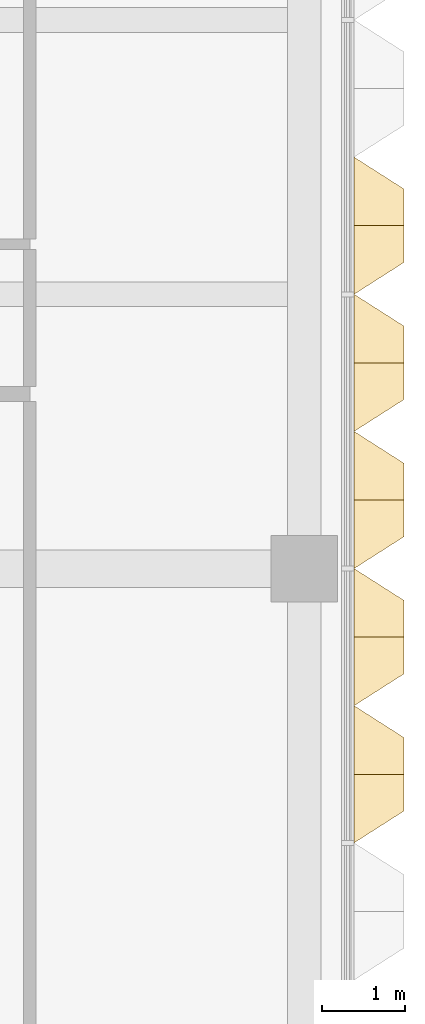
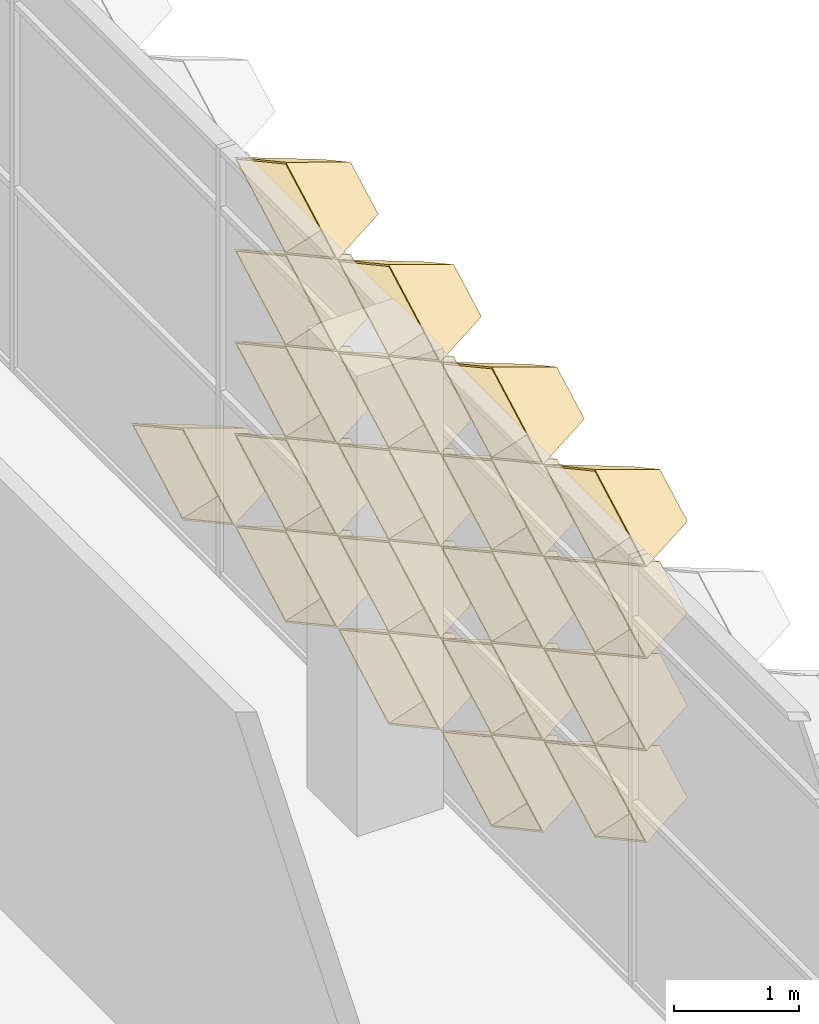
# One storey, part 52 of 61: 20 coverings.
"""IFC4 building model written with IfcOpenShell, lengths in metres."""

from ifc_helpers import new_model, entity, si_unit, direction, frame, origin, place, context, subcontext, project, spatial, material, layer, layer_set, type_object, element, save


model = new_model("IFC4")

# Units and contexts
model_context = context("Model", 3, precision=1e-05, world=origin(), true_north=direction((0.0, 1.0)))
body_context = subcontext(model_context, "Body", "Model", "MODEL_VIEW")
ifc_project = project(units=[si_unit("LENGTHUNIT", "METRE"), si_unit("AREAUNIT", "SQUARE_METRE"), si_unit("VOLUMEUNIT", "CUBIC_METRE"), si_unit("PLANEANGLEUNIT", "RADIAN"), si_unit("MASSUNIT", "GRAM", prefix="KILO")], contexts=[model_context])

# Site, building, storey
site_placement = place(None, origin())
site = spatial("IfcSite", under=ifc_project, at=site_placement, CompositionType="ELEMENT")
building_placement = place(site_placement, origin())
building = spatial("IfcBuilding", under=site, at=building_placement, Name="Lantern Court Research Institute", CompositionType="ELEMENT")
storey_placement = place(building_placement, frame((0.0, 0.0, 23.39990234375)))
storey = spatial("IfcBuildingStorey", under=building, at=storey_placement, Name="L05", CompositionType="ELEMENT", Elevation=23.39990234375)

# Coverings
ifc_material = material(Name="Anodised aluminium", Category="aluminium")
ifc_layer = layer(ifc_material, 0.01611328125)
ifc_layer_set = layer_set([ifc_layer], Name="Anodised aluminium")
covering_type = type_object("IfcCoveringType", Name="Fin cassette 1650 x 900 x 600 aluminium", PredefinedType="CLADDING", material=ifc_layer_set)
covering_1_placement = place(storey_placement, frame((79.800048828125, -0.824951171875, 0.4501953125), z_axis=(1.0, 0.0, 0.0), x_axis=(0.0, 1.0, 0.0)))
cartesian_point_1 = entity("IfcCartesianPoint", [0.824951171875, 0.0])
cartesian_point_2 = entity("IfcCartesianPoint", [0.79150390625, 0.0])
cartesian_point_3 = entity("IfcCartesianPoint", [0.44189453125, 0.0])
cartesian_point_4 = entity("IfcCartesianPoint", [0.43359375, 0.0])
element("IfcCovering", 1, at=covering_1_placement, inside=storey, type_object=covering_type, Name="Fin cassette V5E-L05 1.0", PredefinedType="CLADDING", context=body_context, shape_type="SweptSolid", body=[
    entity("IfcExtrudedAreaSolidTapered", entity("IfcArbitraryProfileDefWithVoids", "AREA", None, entity("IfcPolyline", [cartesian_point_1, entity("IfcCartesianPoint", [0.0, 0.449951171875]), entity("IfcCartesianPoint", [-0.824951171875, 0.0]), entity("IfcCartesianPoint", [0.0, -0.449951171875]), cartesian_point_1]), [entity("IfcPolyline", [cartesian_point_2, entity("IfcCartesianPoint", [0.0, 0.431884765625]), entity("IfcCartesianPoint", [-0.79150390625, 0.0]), entity("IfcCartesianPoint", [0.0, -0.431884765625]), cartesian_point_2])]), entity("IfcAxis2Placement3D", entity("IfcCartesianPoint", [0.0, 0.0, 0.0])), entity("IfcDirection", [0.0, 0.0, 1.0]), 0.60009765625, entity("IfcArbitraryProfileDefWithVoids", "AREA", None, entity("IfcPolyline", [cartesian_point_3, entity("IfcCartesianPoint", [0.0, 0.240966796875]), entity("IfcCartesianPoint", [-0.44189453125, 0.0]), entity("IfcCartesianPoint", [0.0, -0.240966796875]), cartesian_point_3]), [entity("IfcPolyline", [cartesian_point_4, entity("IfcCartesianPoint", [0.0, 0.236572265625]), entity("IfcCartesianPoint", [-0.43359375, 0.0]), entity("IfcCartesianPoint", [0.0, -0.236572265625]), cartesian_point_4])])),
])
covering_2_placement = place(storey_placement, frame((79.800048828125, 0.824951171875, 0.4501953125), z_axis=(1.0, 0.0, 0.0), x_axis=(0.0, 1.0, 0.0)))
cartesian_point_5 = entity("IfcCartesianPoint", [0.824951171875, 0.0])
cartesian_point_6 = entity("IfcCartesianPoint", [0.79150390625, 0.0])
cartesian_point_7 = entity("IfcCartesianPoint", [0.44189453125, 0.0])
cartesian_point_8 = entity("IfcCartesianPoint", [0.43359375, 0.0])
element("IfcCovering", 2, at=covering_2_placement, inside=storey, type_object=covering_type, Name="Fin cassette V5E-L05 1.1", PredefinedType="CLADDING", context=body_context, shape_type="SweptSolid", body=[
    entity("IfcExtrudedAreaSolidTapered", entity("IfcArbitraryProfileDefWithVoids", "AREA", None, entity("IfcPolyline", [cartesian_point_5, entity("IfcCartesianPoint", [0.0, 0.449951171875]), entity("IfcCartesianPoint", [-0.824951171875, 0.0]), entity("IfcCartesianPoint", [0.0, -0.449951171875]), cartesian_point_5]), [entity("IfcPolyline", [cartesian_point_6, entity("IfcCartesianPoint", [0.0, 0.431884765625]), entity("IfcCartesianPoint", [-0.79150390625, 0.0]), entity("IfcCartesianPoint", [0.0, -0.431884765625]), cartesian_point_6])]), entity("IfcAxis2Placement3D", entity("IfcCartesianPoint", [0.0, 0.0, 0.0])), entity("IfcDirection", [0.0, 0.0, 1.0]), 0.60009765625, entity("IfcArbitraryProfileDefWithVoids", "AREA", None, entity("IfcPolyline", [cartesian_point_7, entity("IfcCartesianPoint", [0.0, 0.240966796875]), entity("IfcCartesianPoint", [-0.44189453125, 0.0]), entity("IfcCartesianPoint", [0.0, -0.240966796875]), cartesian_point_7]), [entity("IfcPolyline", [cartesian_point_8, entity("IfcCartesianPoint", [0.0, 0.236572265625]), entity("IfcCartesianPoint", [-0.43359375, 0.0]), entity("IfcCartesianPoint", [0.0, -0.236572265625]), cartesian_point_8])])),
])
covering_3_placement = place(storey_placement, frame((79.800048828125, 2.47509765625, 0.4501953125), z_axis=(1.0, 0.0, 0.0), x_axis=(0.0, 1.0, 0.0)))
cartesian_point_9 = entity("IfcCartesianPoint", [0.824951171875, 0.0])
cartesian_point_10 = entity("IfcCartesianPoint", [0.79150390625, 0.0])
cartesian_point_11 = entity("IfcCartesianPoint", [0.44189453125, 0.0])
cartesian_point_12 = entity("IfcCartesianPoint", [0.43359375, 0.0])
element("IfcCovering", 3, at=covering_3_placement, inside=storey, type_object=covering_type, Name="Fin cassette V5E-L05 1.2", PredefinedType="CLADDING", context=body_context, shape_type="SweptSolid", body=[
    entity("IfcExtrudedAreaSolidTapered", entity("IfcArbitraryProfileDefWithVoids", "AREA", None, entity("IfcPolyline", [cartesian_point_9, entity("IfcCartesianPoint", [0.0, 0.449951171875]), entity("IfcCartesianPoint", [-0.824951171875, 0.0]), entity("IfcCartesianPoint", [0.0, -0.449951171875]), cartesian_point_9]), [entity("IfcPolyline", [cartesian_point_10, entity("IfcCartesianPoint", [0.0, 0.431884765625]), entity("IfcCartesianPoint", [-0.79150390625, 0.0]), entity("IfcCartesianPoint", [0.0, -0.431884765625]), cartesian_point_10])]), entity("IfcAxis2Placement3D", entity("IfcCartesianPoint", [0.0, 0.0, 0.0])), entity("IfcDirection", [0.0, 0.0, 1.0]), 0.60009765625, entity("IfcArbitraryProfileDefWithVoids", "AREA", None, entity("IfcPolyline", [cartesian_point_11, entity("IfcCartesianPoint", [0.0, 0.240966796875]), entity("IfcCartesianPoint", [-0.44189453125, 0.0]), entity("IfcCartesianPoint", [0.0, -0.240966796875]), cartesian_point_11]), [entity("IfcPolyline", [cartesian_point_12, entity("IfcCartesianPoint", [0.0, 0.236572265625]), entity("IfcCartesianPoint", [-0.43359375, 0.0]), entity("IfcCartesianPoint", [0.0, -0.236572265625]), cartesian_point_12])])),
])
covering_4_placement = place(storey_placement, frame((79.800048828125, 4.125, 0.4501953125), z_axis=(1.0, 0.0, 0.0), x_axis=(0.0, 1.0, 0.0)))
cartesian_point_13 = entity("IfcCartesianPoint", [0.824951171875, 0.0])
cartesian_point_14 = entity("IfcCartesianPoint", [0.79150390625, 0.0])
cartesian_point_15 = entity("IfcCartesianPoint", [0.44189453125, 0.0])
cartesian_point_16 = entity("IfcCartesianPoint", [0.43359375, 0.0])
element("IfcCovering", 4, at=covering_4_placement, inside=storey, type_object=covering_type, Name="Fin cassette V5E-L05 1.3", PredefinedType="CLADDING", context=body_context, shape_type="SweptSolid", body=[
    entity("IfcExtrudedAreaSolidTapered", entity("IfcArbitraryProfileDefWithVoids", "AREA", None, entity("IfcPolyline", [cartesian_point_13, entity("IfcCartesianPoint", [0.0, 0.449951171875]), entity("IfcCartesianPoint", [-0.824951171875, 0.0]), entity("IfcCartesianPoint", [0.0, -0.449951171875]), cartesian_point_13]), [entity("IfcPolyline", [cartesian_point_14, entity("IfcCartesianPoint", [0.0, 0.431884765625]), entity("IfcCartesianPoint", [-0.79150390625, 0.0]), entity("IfcCartesianPoint", [0.0, -0.431884765625]), cartesian_point_14])]), entity("IfcAxis2Placement3D", entity("IfcCartesianPoint", [0.0, 0.0, 0.0])), entity("IfcDirection", [0.0, 0.0, 1.0]), 0.60009765625, entity("IfcArbitraryProfileDefWithVoids", "AREA", None, entity("IfcPolyline", [cartesian_point_15, entity("IfcCartesianPoint", [0.0, 0.240966796875]), entity("IfcCartesianPoint", [-0.44189453125, 0.0]), entity("IfcCartesianPoint", [0.0, -0.240966796875]), cartesian_point_15]), [entity("IfcPolyline", [cartesian_point_16, entity("IfcCartesianPoint", [0.0, 0.236572265625]), entity("IfcCartesianPoint", [-0.43359375, 0.0]), entity("IfcCartesianPoint", [0.0, -0.236572265625]), cartesian_point_16])])),
])
covering_5_placement = place(storey_placement, frame((79.800048828125, -2.47509765625, 1.35009765625), z_axis=(1.0, 0.0, 0.0), x_axis=(0.0, 1.0, 0.0)))
cartesian_point_17 = entity("IfcCartesianPoint", [0.824951171875, 0.0])
cartesian_point_18 = entity("IfcCartesianPoint", [0.79150390625, 0.0])
cartesian_point_19 = entity("IfcCartesianPoint", [0.44189453125, 0.0])
cartesian_point_20 = entity("IfcCartesianPoint", [0.43359375, 0.0])
element("IfcCovering", 5, at=covering_5_placement, inside=storey, type_object=covering_type, Name="Fin cassette V5E-L05 2.-1", PredefinedType="CLADDING", context=body_context, shape_type="SweptSolid", body=[
    entity("IfcExtrudedAreaSolidTapered", entity("IfcArbitraryProfileDefWithVoids", "AREA", None, entity("IfcPolyline", [cartesian_point_17, entity("IfcCartesianPoint", [0.0, 0.449951171875]), entity("IfcCartesianPoint", [-0.824951171875, 0.0]), entity("IfcCartesianPoint", [0.0, -0.449951171875]), cartesian_point_17]), [entity("IfcPolyline", [cartesian_point_18, entity("IfcCartesianPoint", [0.0, 0.431884765625]), entity("IfcCartesianPoint", [-0.79150390625, 0.0]), entity("IfcCartesianPoint", [0.0, -0.431884765625]), cartesian_point_18])]), entity("IfcAxis2Placement3D", entity("IfcCartesianPoint", [0.0, 0.0, 0.0])), entity("IfcDirection", [0.0, 0.0, 1.0]), 0.60009765625, entity("IfcArbitraryProfileDefWithVoids", "AREA", None, entity("IfcPolyline", [cartesian_point_19, entity("IfcCartesianPoint", [0.0, 0.240966796875]), entity("IfcCartesianPoint", [-0.44189453125, 0.0]), entity("IfcCartesianPoint", [0.0, -0.240966796875]), cartesian_point_19]), [entity("IfcPolyline", [cartesian_point_20, entity("IfcCartesianPoint", [0.0, 0.236572265625]), entity("IfcCartesianPoint", [-0.43359375, 0.0]), entity("IfcCartesianPoint", [0.0, -0.236572265625]), cartesian_point_20])])),
])
covering_6_placement = place(storey_placement, frame((79.800048828125, -0.824951171875, 1.35009765625), z_axis=(1.0, 0.0, 0.0), x_axis=(0.0, 1.0, 0.0)))
cartesian_point_21 = entity("IfcCartesianPoint", [0.824951171875, 0.0])
cartesian_point_22 = entity("IfcCartesianPoint", [0.79150390625, 0.0])
cartesian_point_23 = entity("IfcCartesianPoint", [0.44189453125, 0.0])
cartesian_point_24 = entity("IfcCartesianPoint", [0.43359375, 0.0])
element("IfcCovering", 6, at=covering_6_placement, inside=storey, type_object=covering_type, Name="Fin cassette V5E-L05 2.0", PredefinedType="CLADDING", context=body_context, shape_type="SweptSolid", body=[
    entity("IfcExtrudedAreaSolidTapered", entity("IfcArbitraryProfileDefWithVoids", "AREA", None, entity("IfcPolyline", [cartesian_point_21, entity("IfcCartesianPoint", [0.0, 0.449951171875]), entity("IfcCartesianPoint", [-0.824951171875, 0.0]), entity("IfcCartesianPoint", [0.0, -0.449951171875]), cartesian_point_21]), [entity("IfcPolyline", [cartesian_point_22, entity("IfcCartesianPoint", [0.0, 0.431884765625]), entity("IfcCartesianPoint", [-0.79150390625, 0.0]), entity("IfcCartesianPoint", [0.0, -0.431884765625]), cartesian_point_22])]), entity("IfcAxis2Placement3D", entity("IfcCartesianPoint", [0.0, 0.0, 0.0])), entity("IfcDirection", [0.0, 0.0, 1.0]), 0.60009765625, entity("IfcArbitraryProfileDefWithVoids", "AREA", None, entity("IfcPolyline", [cartesian_point_23, entity("IfcCartesianPoint", [0.0, 0.240966796875]), entity("IfcCartesianPoint", [-0.44189453125, 0.0]), entity("IfcCartesianPoint", [0.0, -0.240966796875]), cartesian_point_23]), [entity("IfcPolyline", [cartesian_point_24, entity("IfcCartesianPoint", [0.0, 0.236572265625]), entity("IfcCartesianPoint", [-0.43359375, 0.0]), entity("IfcCartesianPoint", [0.0, -0.236572265625]), cartesian_point_24])])),
])
covering_7_placement = place(storey_placement, frame((79.800048828125, 0.824951171875, 1.35009765625), z_axis=(1.0, 0.0, 0.0), x_axis=(0.0, 1.0, 0.0)))
cartesian_point_25 = entity("IfcCartesianPoint", [0.824951171875, 0.0])
cartesian_point_26 = entity("IfcCartesianPoint", [0.79150390625, 0.0])
cartesian_point_27 = entity("IfcCartesianPoint", [0.44189453125, 0.0])
cartesian_point_28 = entity("IfcCartesianPoint", [0.43359375, 0.0])
element("IfcCovering", 7, at=covering_7_placement, inside=storey, type_object=covering_type, Name="Fin cassette V5E-L05 2.1", PredefinedType="CLADDING", context=body_context, shape_type="SweptSolid", body=[
    entity("IfcExtrudedAreaSolidTapered", entity("IfcArbitraryProfileDefWithVoids", "AREA", None, entity("IfcPolyline", [cartesian_point_25, entity("IfcCartesianPoint", [0.0, 0.449951171875]), entity("IfcCartesianPoint", [-0.824951171875, 0.0]), entity("IfcCartesianPoint", [0.0, -0.449951171875]), cartesian_point_25]), [entity("IfcPolyline", [cartesian_point_26, entity("IfcCartesianPoint", [0.0, 0.431884765625]), entity("IfcCartesianPoint", [-0.79150390625, 0.0]), entity("IfcCartesianPoint", [0.0, -0.431884765625]), cartesian_point_26])]), entity("IfcAxis2Placement3D", entity("IfcCartesianPoint", [0.0, 0.0, 0.0])), entity("IfcDirection", [0.0, 0.0, 1.0]), 0.60009765625, entity("IfcArbitraryProfileDefWithVoids", "AREA", None, entity("IfcPolyline", [cartesian_point_27, entity("IfcCartesianPoint", [0.0, 0.240966796875]), entity("IfcCartesianPoint", [-0.44189453125, 0.0]), entity("IfcCartesianPoint", [0.0, -0.240966796875]), cartesian_point_27]), [entity("IfcPolyline", [cartesian_point_28, entity("IfcCartesianPoint", [0.0, 0.236572265625]), entity("IfcCartesianPoint", [-0.43359375, 0.0]), entity("IfcCartesianPoint", [0.0, -0.236572265625]), cartesian_point_28])])),
])
covering_8_placement = place(storey_placement, frame((79.800048828125, 2.47509765625, 1.35009765625), z_axis=(1.0, 0.0, 0.0), x_axis=(0.0, 1.0, 0.0)))
cartesian_point_29 = entity("IfcCartesianPoint", [0.824951171875, 0.0])
cartesian_point_30 = entity("IfcCartesianPoint", [0.79150390625, 0.0])
cartesian_point_31 = entity("IfcCartesianPoint", [0.44189453125, 0.0])
cartesian_point_32 = entity("IfcCartesianPoint", [0.43359375, 0.0])
element("IfcCovering", 8, at=covering_8_placement, inside=storey, type_object=covering_type, Name="Fin cassette V5E-L05 2.2", PredefinedType="CLADDING", context=body_context, shape_type="SweptSolid", body=[
    entity("IfcExtrudedAreaSolidTapered", entity("IfcArbitraryProfileDefWithVoids", "AREA", None, entity("IfcPolyline", [cartesian_point_29, entity("IfcCartesianPoint", [0.0, 0.449951171875]), entity("IfcCartesianPoint", [-0.824951171875, 0.0]), entity("IfcCartesianPoint", [0.0, -0.449951171875]), cartesian_point_29]), [entity("IfcPolyline", [cartesian_point_30, entity("IfcCartesianPoint", [0.0, 0.431884765625]), entity("IfcCartesianPoint", [-0.79150390625, 0.0]), entity("IfcCartesianPoint", [0.0, -0.431884765625]), cartesian_point_30])]), entity("IfcAxis2Placement3D", entity("IfcCartesianPoint", [0.0, 0.0, 0.0])), entity("IfcDirection", [0.0, 0.0, 1.0]), 0.60009765625, entity("IfcArbitraryProfileDefWithVoids", "AREA", None, entity("IfcPolyline", [cartesian_point_31, entity("IfcCartesianPoint", [0.0, 0.240966796875]), entity("IfcCartesianPoint", [-0.44189453125, 0.0]), entity("IfcCartesianPoint", [0.0, -0.240966796875]), cartesian_point_31]), [entity("IfcPolyline", [cartesian_point_32, entity("IfcCartesianPoint", [0.0, 0.236572265625]), entity("IfcCartesianPoint", [-0.43359375, 0.0]), entity("IfcCartesianPoint", [0.0, -0.236572265625]), cartesian_point_32])])),
])
covering_9_placement = place(storey_placement, frame((79.800048828125, -2.47509765625, 2.25), z_axis=(1.0, 0.0, 0.0), x_axis=(0.0, 1.0, 0.0)))
cartesian_point_33 = entity("IfcCartesianPoint", [0.824951171875, 0.0])
cartesian_point_34 = entity("IfcCartesianPoint", [0.79150390625, 0.0])
cartesian_point_35 = entity("IfcCartesianPoint", [0.44189453125, 0.0])
cartesian_point_36 = entity("IfcCartesianPoint", [0.43359375, 0.0])
element("IfcCovering", 9, at=covering_9_placement, inside=storey, type_object=covering_type, Name="Fin cassette V5E-L05 3.-1", PredefinedType="CLADDING", context=body_context, shape_type="SweptSolid", body=[
    entity("IfcExtrudedAreaSolidTapered", entity("IfcArbitraryProfileDefWithVoids", "AREA", None, entity("IfcPolyline", [cartesian_point_33, entity("IfcCartesianPoint", [0.0, 0.449951171875]), entity("IfcCartesianPoint", [-0.824951171875, 0.0]), entity("IfcCartesianPoint", [0.0, -0.449951171875]), cartesian_point_33]), [entity("IfcPolyline", [cartesian_point_34, entity("IfcCartesianPoint", [0.0, 0.431884765625]), entity("IfcCartesianPoint", [-0.79150390625, 0.0]), entity("IfcCartesianPoint", [0.0, -0.431884765625]), cartesian_point_34])]), entity("IfcAxis2Placement3D", entity("IfcCartesianPoint", [0.0, 0.0, 0.0])), entity("IfcDirection", [0.0, 0.0, 1.0]), 0.60009765625, entity("IfcArbitraryProfileDefWithVoids", "AREA", None, entity("IfcPolyline", [cartesian_point_35, entity("IfcCartesianPoint", [0.0, 0.240966796875]), entity("IfcCartesianPoint", [-0.44189453125, 0.0]), entity("IfcCartesianPoint", [0.0, -0.240966796875]), cartesian_point_35]), [entity("IfcPolyline", [cartesian_point_36, entity("IfcCartesianPoint", [0.0, 0.236572265625]), entity("IfcCartesianPoint", [-0.43359375, 0.0]), entity("IfcCartesianPoint", [0.0, -0.236572265625]), cartesian_point_36])])),
])
covering_10_placement = place(storey_placement, frame((79.800048828125, -0.824951171875, 2.25), z_axis=(1.0, 0.0, 0.0), x_axis=(0.0, 1.0, 0.0)))
cartesian_point_37 = entity("IfcCartesianPoint", [0.824951171875, 0.0])
cartesian_point_38 = entity("IfcCartesianPoint", [0.79150390625, 0.0])
cartesian_point_39 = entity("IfcCartesianPoint", [0.44189453125, 0.0])
cartesian_point_40 = entity("IfcCartesianPoint", [0.43359375, 0.0])
element("IfcCovering", 10, at=covering_10_placement, inside=storey, type_object=covering_type, Name="Fin cassette V5E-L05 3.0", PredefinedType="CLADDING", context=body_context, shape_type="SweptSolid", body=[
    entity("IfcExtrudedAreaSolidTapered", entity("IfcArbitraryProfileDefWithVoids", "AREA", None, entity("IfcPolyline", [cartesian_point_37, entity("IfcCartesianPoint", [0.0, 0.449951171875]), entity("IfcCartesianPoint", [-0.824951171875, 0.0]), entity("IfcCartesianPoint", [0.0, -0.449951171875]), cartesian_point_37]), [entity("IfcPolyline", [cartesian_point_38, entity("IfcCartesianPoint", [0.0, 0.431884765625]), entity("IfcCartesianPoint", [-0.79150390625, 0.0]), entity("IfcCartesianPoint", [0.0, -0.431884765625]), cartesian_point_38])]), entity("IfcAxis2Placement3D", entity("IfcCartesianPoint", [0.0, 0.0, 0.0])), entity("IfcDirection", [0.0, 0.0, 1.0]), 0.60009765625, entity("IfcArbitraryProfileDefWithVoids", "AREA", None, entity("IfcPolyline", [cartesian_point_39, entity("IfcCartesianPoint", [0.0, 0.240966796875]), entity("IfcCartesianPoint", [-0.44189453125, 0.0]), entity("IfcCartesianPoint", [0.0, -0.240966796875]), cartesian_point_39]), [entity("IfcPolyline", [cartesian_point_40, entity("IfcCartesianPoint", [0.0, 0.236572265625]), entity("IfcCartesianPoint", [-0.43359375, 0.0]), entity("IfcCartesianPoint", [0.0, -0.236572265625]), cartesian_point_40])])),
])
covering_11_placement = place(storey_placement, frame((79.800048828125, 0.824951171875, 2.25), z_axis=(1.0, 0.0, 0.0), x_axis=(0.0, 1.0, 0.0)))
cartesian_point_41 = entity("IfcCartesianPoint", [0.824951171875, 0.0])
cartesian_point_42 = entity("IfcCartesianPoint", [0.79150390625, 0.0])
cartesian_point_43 = entity("IfcCartesianPoint", [0.44189453125, 0.0])
cartesian_point_44 = entity("IfcCartesianPoint", [0.43359375, 0.0])
element("IfcCovering", 11, at=covering_11_placement, inside=storey, type_object=covering_type, Name="Fin cassette V5E-L05 3.1", PredefinedType="CLADDING", context=body_context, shape_type="SweptSolid", body=[
    entity("IfcExtrudedAreaSolidTapered", entity("IfcArbitraryProfileDefWithVoids", "AREA", None, entity("IfcPolyline", [cartesian_point_41, entity("IfcCartesianPoint", [0.0, 0.449951171875]), entity("IfcCartesianPoint", [-0.824951171875, 0.0]), entity("IfcCartesianPoint", [0.0, -0.449951171875]), cartesian_point_41]), [entity("IfcPolyline", [cartesian_point_42, entity("IfcCartesianPoint", [0.0, 0.431884765625]), entity("IfcCartesianPoint", [-0.79150390625, 0.0]), entity("IfcCartesianPoint", [0.0, -0.431884765625]), cartesian_point_42])]), entity("IfcAxis2Placement3D", entity("IfcCartesianPoint", [0.0, 0.0, 0.0])), entity("IfcDirection", [0.0, 0.0, 1.0]), 0.60009765625, entity("IfcArbitraryProfileDefWithVoids", "AREA", None, entity("IfcPolyline", [cartesian_point_43, entity("IfcCartesianPoint", [0.0, 0.240966796875]), entity("IfcCartesianPoint", [-0.44189453125, 0.0]), entity("IfcCartesianPoint", [0.0, -0.240966796875]), cartesian_point_43]), [entity("IfcPolyline", [cartesian_point_44, entity("IfcCartesianPoint", [0.0, 0.236572265625]), entity("IfcCartesianPoint", [-0.43359375, 0.0]), entity("IfcCartesianPoint", [0.0, -0.236572265625]), cartesian_point_44])])),
])
covering_12_placement = place(storey_placement, frame((79.800048828125, 2.47509765625, 2.25), z_axis=(1.0, 0.0, 0.0), x_axis=(0.0, 1.0, 0.0)))
cartesian_point_45 = entity("IfcCartesianPoint", [0.824951171875, 0.0])
cartesian_point_46 = entity("IfcCartesianPoint", [0.79150390625, 0.0])
cartesian_point_47 = entity("IfcCartesianPoint", [0.44189453125, 0.0])
cartesian_point_48 = entity("IfcCartesianPoint", [0.43359375, 0.0])
element("IfcCovering", 12, at=covering_12_placement, inside=storey, type_object=covering_type, Name="Fin cassette V5E-L05 3.2", PredefinedType="CLADDING", context=body_context, shape_type="SweptSolid", body=[
    entity("IfcExtrudedAreaSolidTapered", entity("IfcArbitraryProfileDefWithVoids", "AREA", None, entity("IfcPolyline", [cartesian_point_45, entity("IfcCartesianPoint", [0.0, 0.449951171875]), entity("IfcCartesianPoint", [-0.824951171875, 0.0]), entity("IfcCartesianPoint", [0.0, -0.449951171875]), cartesian_point_45]), [entity("IfcPolyline", [cartesian_point_46, entity("IfcCartesianPoint", [0.0, 0.431884765625]), entity("IfcCartesianPoint", [-0.79150390625, 0.0]), entity("IfcCartesianPoint", [0.0, -0.431884765625]), cartesian_point_46])]), entity("IfcAxis2Placement3D", entity("IfcCartesianPoint", [0.0, 0.0, 0.0])), entity("IfcDirection", [0.0, 0.0, 1.0]), 0.60009765625, entity("IfcArbitraryProfileDefWithVoids", "AREA", None, entity("IfcPolyline", [cartesian_point_47, entity("IfcCartesianPoint", [0.0, 0.240966796875]), entity("IfcCartesianPoint", [-0.44189453125, 0.0]), entity("IfcCartesianPoint", [0.0, -0.240966796875]), cartesian_point_47]), [entity("IfcPolyline", [cartesian_point_48, entity("IfcCartesianPoint", [0.0, 0.236572265625]), entity("IfcCartesianPoint", [-0.43359375, 0.0]), entity("IfcCartesianPoint", [0.0, -0.236572265625]), cartesian_point_48])])),
])
covering_13_placement = place(storey_placement, frame((79.800048828125, -2.47509765625, 3.150146484375), z_axis=(1.0, 0.0, 0.0), x_axis=(0.0, 1.0, 0.0)))
cartesian_point_49 = entity("IfcCartesianPoint", [0.824951171875, 0.0])
cartesian_point_50 = entity("IfcCartesianPoint", [0.79150390625, 0.0])
cartesian_point_51 = entity("IfcCartesianPoint", [0.44189453125, 0.0])
cartesian_point_52 = entity("IfcCartesianPoint", [0.43359375, 0.0])
element("IfcCovering", 13, at=covering_13_placement, inside=storey, type_object=covering_type, Name="Fin cassette V5E-L05 4.-1", PredefinedType="CLADDING", context=body_context, shape_type="SweptSolid", body=[
    entity("IfcExtrudedAreaSolidTapered", entity("IfcArbitraryProfileDefWithVoids", "AREA", None, entity("IfcPolyline", [cartesian_point_49, entity("IfcCartesianPoint", [0.0, 0.449951171875]), entity("IfcCartesianPoint", [-0.824951171875, 0.0]), entity("IfcCartesianPoint", [0.0, -0.449951171875]), cartesian_point_49]), [entity("IfcPolyline", [cartesian_point_50, entity("IfcCartesianPoint", [0.0, 0.431884765625]), entity("IfcCartesianPoint", [-0.79150390625, 0.0]), entity("IfcCartesianPoint", [0.0, -0.431884765625]), cartesian_point_50])]), entity("IfcAxis2Placement3D", entity("IfcCartesianPoint", [0.0, 0.0, 0.0])), entity("IfcDirection", [0.0, 0.0, 1.0]), 0.60009765625, entity("IfcArbitraryProfileDefWithVoids", "AREA", None, entity("IfcPolyline", [cartesian_point_51, entity("IfcCartesianPoint", [0.0, 0.240966796875]), entity("IfcCartesianPoint", [-0.44189453125, 0.0]), entity("IfcCartesianPoint", [0.0, -0.240966796875]), cartesian_point_51]), [entity("IfcPolyline", [cartesian_point_52, entity("IfcCartesianPoint", [0.0, 0.236572265625]), entity("IfcCartesianPoint", [-0.43359375, 0.0]), entity("IfcCartesianPoint", [0.0, -0.236572265625]), cartesian_point_52])])),
])
covering_14_placement = place(storey_placement, frame((79.800048828125, -0.824951171875, 3.150146484375), z_axis=(1.0, 0.0, 0.0), x_axis=(0.0, 1.0, 0.0)))
cartesian_point_53 = entity("IfcCartesianPoint", [0.824951171875, 0.0])
cartesian_point_54 = entity("IfcCartesianPoint", [0.79150390625, 0.0])
cartesian_point_55 = entity("IfcCartesianPoint", [0.44189453125, 0.0])
cartesian_point_56 = entity("IfcCartesianPoint", [0.43359375, 0.0])
element("IfcCovering", 14, at=covering_14_placement, inside=storey, type_object=covering_type, Name="Fin cassette V5E-L05 4.0", PredefinedType="CLADDING", context=body_context, shape_type="SweptSolid", body=[
    entity("IfcExtrudedAreaSolidTapered", entity("IfcArbitraryProfileDefWithVoids", "AREA", None, entity("IfcPolyline", [cartesian_point_53, entity("IfcCartesianPoint", [0.0, 0.449951171875]), entity("IfcCartesianPoint", [-0.824951171875, 0.0]), entity("IfcCartesianPoint", [0.0, -0.449951171875]), cartesian_point_53]), [entity("IfcPolyline", [cartesian_point_54, entity("IfcCartesianPoint", [0.0, 0.431884765625]), entity("IfcCartesianPoint", [-0.79150390625, 0.0]), entity("IfcCartesianPoint", [0.0, -0.431884765625]), cartesian_point_54])]), entity("IfcAxis2Placement3D", entity("IfcCartesianPoint", [0.0, 0.0, 0.0])), entity("IfcDirection", [0.0, 0.0, 1.0]), 0.60009765625, entity("IfcArbitraryProfileDefWithVoids", "AREA", None, entity("IfcPolyline", [cartesian_point_55, entity("IfcCartesianPoint", [0.0, 0.240966796875]), entity("IfcCartesianPoint", [-0.44189453125, 0.0]), entity("IfcCartesianPoint", [0.0, -0.240966796875]), cartesian_point_55]), [entity("IfcPolyline", [cartesian_point_56, entity("IfcCartesianPoint", [0.0, 0.236572265625]), entity("IfcCartesianPoint", [-0.43359375, 0.0]), entity("IfcCartesianPoint", [0.0, -0.236572265625]), cartesian_point_56])])),
])
covering_15_placement = place(storey_placement, frame((79.800048828125, 0.824951171875, 3.150146484375), z_axis=(1.0, 0.0, 0.0), x_axis=(0.0, 1.0, 0.0)))
cartesian_point_57 = entity("IfcCartesianPoint", [0.824951171875, 0.0])
cartesian_point_58 = entity("IfcCartesianPoint", [0.79150390625, 0.0])
cartesian_point_59 = entity("IfcCartesianPoint", [0.44189453125, 0.0])
cartesian_point_60 = entity("IfcCartesianPoint", [0.43359375, 0.0])
element("IfcCovering", 15, at=covering_15_placement, inside=storey, type_object=covering_type, Name="Fin cassette V5E-L05 4.1", PredefinedType="CLADDING", context=body_context, shape_type="SweptSolid", body=[
    entity("IfcExtrudedAreaSolidTapered", entity("IfcArbitraryProfileDefWithVoids", "AREA", None, entity("IfcPolyline", [cartesian_point_57, entity("IfcCartesianPoint", [0.0, 0.449951171875]), entity("IfcCartesianPoint", [-0.824951171875, 0.0]), entity("IfcCartesianPoint", [0.0, -0.449951171875]), cartesian_point_57]), [entity("IfcPolyline", [cartesian_point_58, entity("IfcCartesianPoint", [0.0, 0.431884765625]), entity("IfcCartesianPoint", [-0.79150390625, 0.0]), entity("IfcCartesianPoint", [0.0, -0.431884765625]), cartesian_point_58])]), entity("IfcAxis2Placement3D", entity("IfcCartesianPoint", [0.0, 0.0, 0.0])), entity("IfcDirection", [0.0, 0.0, 1.0]), 0.60009765625, entity("IfcArbitraryProfileDefWithVoids", "AREA", None, entity("IfcPolyline", [cartesian_point_59, entity("IfcCartesianPoint", [0.0, 0.240966796875]), entity("IfcCartesianPoint", [-0.44189453125, 0.0]), entity("IfcCartesianPoint", [0.0, -0.240966796875]), cartesian_point_59]), [entity("IfcPolyline", [cartesian_point_60, entity("IfcCartesianPoint", [0.0, 0.236572265625]), entity("IfcCartesianPoint", [-0.43359375, 0.0]), entity("IfcCartesianPoint", [0.0, -0.236572265625]), cartesian_point_60])])),
])
covering_16_placement = place(storey_placement, frame((79.800048828125, 2.47509765625, 3.150146484375), z_axis=(1.0, 0.0, 0.0), x_axis=(0.0, 1.0, 0.0)))
cartesian_point_61 = entity("IfcCartesianPoint", [0.824951171875, 0.0])
cartesian_point_62 = entity("IfcCartesianPoint", [0.79150390625, 0.0])
cartesian_point_63 = entity("IfcCartesianPoint", [0.44189453125, 0.0])
cartesian_point_64 = entity("IfcCartesianPoint", [0.43359375, 0.0])
element("IfcCovering", 16, at=covering_16_placement, inside=storey, type_object=covering_type, Name="Fin cassette V5E-L05 4.2", PredefinedType="CLADDING", context=body_context, shape_type="SweptSolid", body=[
    entity("IfcExtrudedAreaSolidTapered", entity("IfcArbitraryProfileDefWithVoids", "AREA", None, entity("IfcPolyline", [cartesian_point_61, entity("IfcCartesianPoint", [0.0, 0.449951171875]), entity("IfcCartesianPoint", [-0.824951171875, 0.0]), entity("IfcCartesianPoint", [0.0, -0.449951171875]), cartesian_point_61]), [entity("IfcPolyline", [cartesian_point_62, entity("IfcCartesianPoint", [0.0, 0.431884765625]), entity("IfcCartesianPoint", [-0.79150390625, 0.0]), entity("IfcCartesianPoint", [0.0, -0.431884765625]), cartesian_point_62])]), entity("IfcAxis2Placement3D", entity("IfcCartesianPoint", [0.0, 0.0, 0.0])), entity("IfcDirection", [0.0, 0.0, 1.0]), 0.60009765625, entity("IfcArbitraryProfileDefWithVoids", "AREA", None, entity("IfcPolyline", [cartesian_point_63, entity("IfcCartesianPoint", [0.0, 0.240966796875]), entity("IfcCartesianPoint", [-0.44189453125, 0.0]), entity("IfcCartesianPoint", [0.0, -0.240966796875]), cartesian_point_63]), [entity("IfcPolyline", [cartesian_point_64, entity("IfcCartesianPoint", [0.0, 0.236572265625]), entity("IfcCartesianPoint", [-0.43359375, 0.0]), entity("IfcCartesianPoint", [0.0, -0.236572265625]), cartesian_point_64])])),
])
covering_17_placement = place(storey_placement, frame((79.800048828125, -2.47509765625, 4.050048828125), z_axis=(1.0, 0.0, 0.0), x_axis=(0.0, 1.0, 0.0)))
cartesian_point_65 = entity("IfcCartesianPoint", [0.824951171875, 0.0])
cartesian_point_66 = entity("IfcCartesianPoint", [0.79150390625, 0.0])
cartesian_point_67 = entity("IfcCartesianPoint", [0.44189453125, 0.0])
cartesian_point_68 = entity("IfcCartesianPoint", [0.43359375, 0.0])
element("IfcCovering", 17, at=covering_17_placement, inside=storey, type_object=covering_type, Name="Fin cassette V5E-L05 5.-1", PredefinedType="CLADDING", context=body_context, shape_type="SweptSolid", body=[
    entity("IfcExtrudedAreaSolidTapered", entity("IfcArbitraryProfileDefWithVoids", "AREA", None, entity("IfcPolyline", [cartesian_point_65, entity("IfcCartesianPoint", [0.0, 0.449951171875]), entity("IfcCartesianPoint", [-0.824951171875, 0.0]), entity("IfcCartesianPoint", [0.0, -0.449951171875]), cartesian_point_65]), [entity("IfcPolyline", [cartesian_point_66, entity("IfcCartesianPoint", [0.0, 0.431884765625]), entity("IfcCartesianPoint", [-0.79150390625, 0.0]), entity("IfcCartesianPoint", [0.0, -0.431884765625]), cartesian_point_66])]), entity("IfcAxis2Placement3D", entity("IfcCartesianPoint", [0.0, 0.0, 0.0])), entity("IfcDirection", [0.0, 0.0, 1.0]), 0.60009765625, entity("IfcArbitraryProfileDefWithVoids", "AREA", None, entity("IfcPolyline", [cartesian_point_67, entity("IfcCartesianPoint", [0.0, 0.240966796875]), entity("IfcCartesianPoint", [-0.44189453125, 0.0]), entity("IfcCartesianPoint", [0.0, -0.240966796875]), cartesian_point_67]), [entity("IfcPolyline", [cartesian_point_68, entity("IfcCartesianPoint", [0.0, 0.236572265625]), entity("IfcCartesianPoint", [-0.43359375, 0.0]), entity("IfcCartesianPoint", [0.0, -0.236572265625]), cartesian_point_68])])),
])
covering_18_placement = place(storey_placement, frame((79.800048828125, -0.824951171875, 4.050048828125), z_axis=(1.0, 0.0, 0.0), x_axis=(0.0, 1.0, 0.0)))
cartesian_point_69 = entity("IfcCartesianPoint", [0.824951171875, 0.0])
cartesian_point_70 = entity("IfcCartesianPoint", [0.79150390625, 0.0])
cartesian_point_71 = entity("IfcCartesianPoint", [0.44189453125, 0.0])
cartesian_point_72 = entity("IfcCartesianPoint", [0.43359375, 0.0])
element("IfcCovering", 18, at=covering_18_placement, inside=storey, type_object=covering_type, Name="Fin cassette V5E-L05 5.0", PredefinedType="CLADDING", context=body_context, shape_type="SweptSolid", body=[
    entity("IfcExtrudedAreaSolidTapered", entity("IfcArbitraryProfileDefWithVoids", "AREA", None, entity("IfcPolyline", [cartesian_point_69, entity("IfcCartesianPoint", [0.0, 0.449951171875]), entity("IfcCartesianPoint", [-0.824951171875, 0.0]), entity("IfcCartesianPoint", [0.0, -0.449951171875]), cartesian_point_69]), [entity("IfcPolyline", [cartesian_point_70, entity("IfcCartesianPoint", [0.0, 0.431884765625]), entity("IfcCartesianPoint", [-0.79150390625, 0.0]), entity("IfcCartesianPoint", [0.0, -0.431884765625]), cartesian_point_70])]), entity("IfcAxis2Placement3D", entity("IfcCartesianPoint", [0.0, 0.0, 0.0])), entity("IfcDirection", [0.0, 0.0, 1.0]), 0.60009765625, entity("IfcArbitraryProfileDefWithVoids", "AREA", None, entity("IfcPolyline", [cartesian_point_71, entity("IfcCartesianPoint", [0.0, 0.240966796875]), entity("IfcCartesianPoint", [-0.44189453125, 0.0]), entity("IfcCartesianPoint", [0.0, -0.240966796875]), cartesian_point_71]), [entity("IfcPolyline", [cartesian_point_72, entity("IfcCartesianPoint", [0.0, 0.236572265625]), entity("IfcCartesianPoint", [-0.43359375, 0.0]), entity("IfcCartesianPoint", [0.0, -0.236572265625]), cartesian_point_72])])),
])
covering_19_placement = place(storey_placement, frame((79.800048828125, 0.824951171875, 4.050048828125), z_axis=(1.0, 0.0, 0.0), x_axis=(0.0, 1.0, 0.0)))
cartesian_point_73 = entity("IfcCartesianPoint", [0.824951171875, 0.0])
cartesian_point_74 = entity("IfcCartesianPoint", [0.79150390625, 0.0])
cartesian_point_75 = entity("IfcCartesianPoint", [0.44189453125, 0.0])
cartesian_point_76 = entity("IfcCartesianPoint", [0.43359375, 0.0])
element("IfcCovering", 19, at=covering_19_placement, inside=storey, type_object=covering_type, Name="Fin cassette V5E-L05 5.1", PredefinedType="CLADDING", context=body_context, shape_type="SweptSolid", body=[
    entity("IfcExtrudedAreaSolidTapered", entity("IfcArbitraryProfileDefWithVoids", "AREA", None, entity("IfcPolyline", [cartesian_point_73, entity("IfcCartesianPoint", [0.0, 0.449951171875]), entity("IfcCartesianPoint", [-0.824951171875, 0.0]), entity("IfcCartesianPoint", [0.0, -0.449951171875]), cartesian_point_73]), [entity("IfcPolyline", [cartesian_point_74, entity("IfcCartesianPoint", [0.0, 0.431884765625]), entity("IfcCartesianPoint", [-0.79150390625, 0.0]), entity("IfcCartesianPoint", [0.0, -0.431884765625]), cartesian_point_74])]), entity("IfcAxis2Placement3D", entity("IfcCartesianPoint", [0.0, 0.0, 0.0])), entity("IfcDirection", [0.0, 0.0, 1.0]), 0.60009765625, entity("IfcArbitraryProfileDefWithVoids", "AREA", None, entity("IfcPolyline", [cartesian_point_75, entity("IfcCartesianPoint", [0.0, 0.240966796875]), entity("IfcCartesianPoint", [-0.44189453125, 0.0]), entity("IfcCartesianPoint", [0.0, -0.240966796875]), cartesian_point_75]), [entity("IfcPolyline", [cartesian_point_76, entity("IfcCartesianPoint", [0.0, 0.236572265625]), entity("IfcCartesianPoint", [-0.43359375, 0.0]), entity("IfcCartesianPoint", [0.0, -0.236572265625]), cartesian_point_76])])),
])
covering_20_placement = place(storey_placement, frame((79.800048828125, 2.47509765625, 4.050048828125), z_axis=(1.0, 0.0, 0.0), x_axis=(0.0, 1.0, 0.0)))
cartesian_point_77 = entity("IfcCartesianPoint", [0.824951171875, 0.0])
cartesian_point_78 = entity("IfcCartesianPoint", [0.79150390625, 0.0])
cartesian_point_79 = entity("IfcCartesianPoint", [0.44189453125, 0.0])
cartesian_point_80 = entity("IfcCartesianPoint", [0.43359375, 0.0])
element("IfcCovering", 20, at=covering_20_placement, inside=storey, type_object=covering_type, Name="Fin cassette V5E-L05 5.2", PredefinedType="CLADDING", context=body_context, shape_type="SweptSolid", body=[
    entity("IfcExtrudedAreaSolidTapered", entity("IfcArbitraryProfileDefWithVoids", "AREA", None, entity("IfcPolyline", [cartesian_point_77, entity("IfcCartesianPoint", [0.0, 0.449951171875]), entity("IfcCartesianPoint", [-0.824951171875, 0.0]), entity("IfcCartesianPoint", [0.0, -0.449951171875]), cartesian_point_77]), [entity("IfcPolyline", [cartesian_point_78, entity("IfcCartesianPoint", [0.0, 0.431884765625]), entity("IfcCartesianPoint", [-0.79150390625, 0.0]), entity("IfcCartesianPoint", [0.0, -0.431884765625]), cartesian_point_78])]), entity("IfcAxis2Placement3D", entity("IfcCartesianPoint", [0.0, 0.0, 0.0])), entity("IfcDirection", [0.0, 0.0, 1.0]), 0.60009765625, entity("IfcArbitraryProfileDefWithVoids", "AREA", None, entity("IfcPolyline", [cartesian_point_79, entity("IfcCartesianPoint", [0.0, 0.240966796875]), entity("IfcCartesianPoint", [-0.44189453125, 0.0]), entity("IfcCartesianPoint", [0.0, -0.240966796875]), cartesian_point_79]), [entity("IfcPolyline", [cartesian_point_80, entity("IfcCartesianPoint", [0.0, 0.236572265625]), entity("IfcCartesianPoint", [-0.43359375, 0.0]), entity("IfcCartesianPoint", [0.0, -0.236572265625]), cartesian_point_80])])),
])

save(model, "model.ifc")
